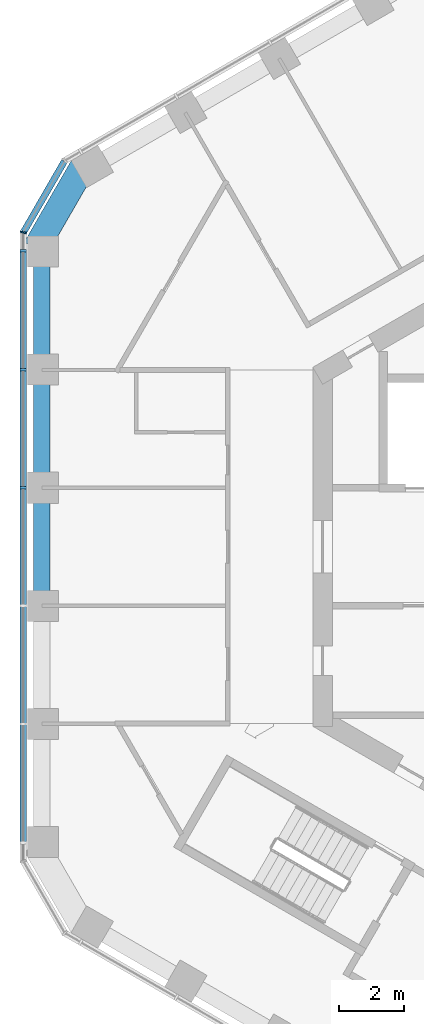
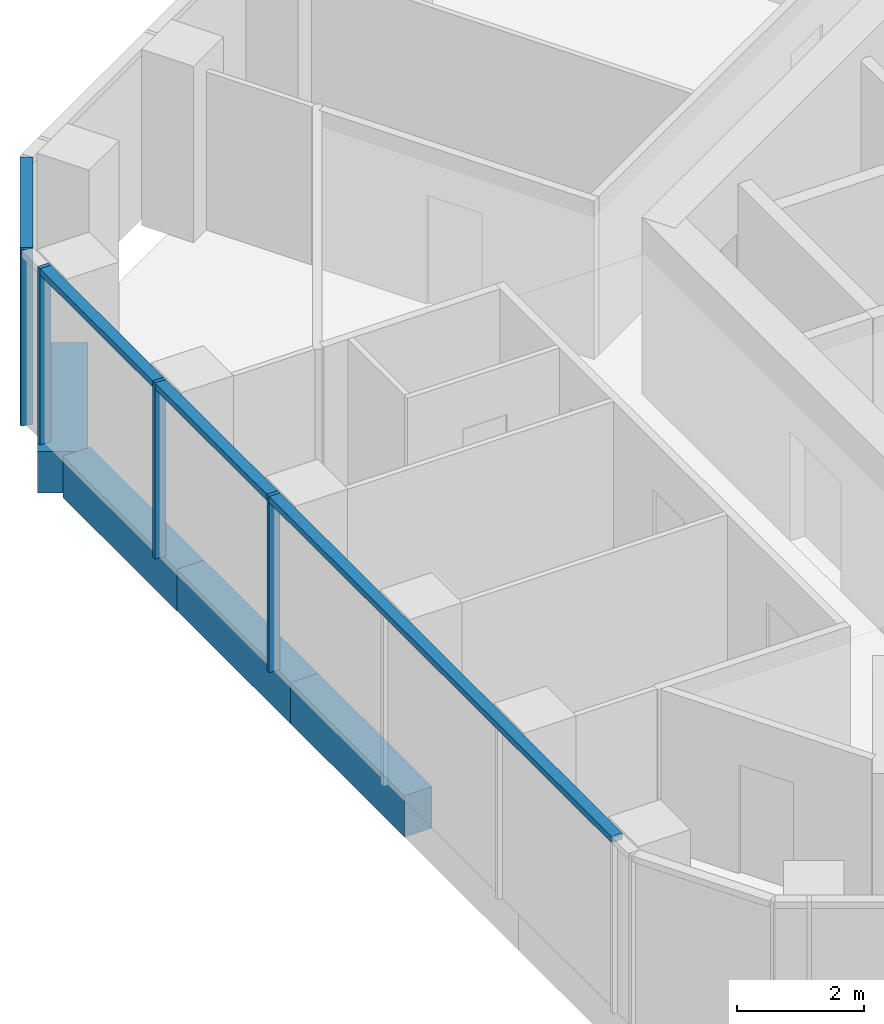
# One storey, part 4 of 18: 6 members, 4 beams, 2 elements without a shape of their own.
"""IFC4 building model written with IfcOpenShell, lengths in metres."""

from ifc_helpers import new_model, si_unit, direction, frame, origin, origin_2d, place, context, subcontext, project, spatial, rectangle, extrude, material, layer, layer_set, material_profile, profile_set, type_object, element, aggregate, save


model = new_model("IFC4")

# Units and contexts
model_context = context("Model", 3, precision=1e-05, world=origin(), true_north=direction((0.0, 1.0)))
body_context = subcontext(model_context, "Body", "Model", "MODEL_VIEW")
ifc_project = project(units=[si_unit("LENGTHUNIT", "METRE"), si_unit("AREAUNIT", "SQUARE_METRE"), si_unit("VOLUMEUNIT", "CUBIC_METRE"), si_unit("PLANEANGLEUNIT", "RADIAN"), si_unit("MASSUNIT", "GRAM", prefix="KILO")], contexts=[model_context])

# Site, building, storey
site_placement = place(None, origin())
site = spatial("IfcSite", under=ifc_project, at=site_placement, CompositionType="ELEMENT")
building_placement = place(site_placement, origin())
building = spatial("IfcBuilding", under=site, at=building_placement, Name="Ayvan Gate Tower", CompositionType="ELEMENT")
storey_placement = place(building_placement, frame((0.0, 0.0, 176.5)))
storey = spatial("IfcBuildingStorey", under=building, at=storey_placement, Name="L47", CompositionType="ELEMENT", Elevation=176.5)

# Beams
ifc_material_1 = material(Name="Concrete C40/50", Category="concrete")
ifc_material_profile_1 = material_profile(ifc_material_1, rectangle(XDim=0.800048828125, YDim=0.800048828125, at=origin_2d()), Name="RC 800x800")
ifc_profile_set_1 = profile_set([ifc_material_profile_1], Name="Concrete C40/50")
beam_type_1 = type_object("IfcBeamType", Name="Corner spandrel beam RC 800x800 C40/50", PredefinedType="BEAM", material=ifc_profile_set_1)
beam_placement = place(storey_placement, frame((-16.474609375, 11.708251953125, -0.75), z_axis=(-0.50002537861, -0.866010750942, 0.0), x_axis=(0.866010750942, -0.50002537861, 0.0)))
element("IfcBeam", 1, at=beam_placement, inside=storey, type_object=beam_type_1, Name="SB-L47-18", PredefinedType="BEAM", context=body_context, shape_type="SweptSolid", body=[
    extrude(rectangle(XDim=0.800048828125, YDim=0.800048828125, at=origin_2d()), origin(), (0.0, 0.0, 1.0), 2.999755859375),
])
ifc_material_profile_2 = material_profile(ifc_material_1, rectangle(XDim=0.5, YDim=0.800048828125, at=origin_2d()), Name="RC 500x800")
ifc_profile_set_2 = profile_set([ifc_material_profile_2], Name="Concrete C40/50")
beam_type_2 = type_object("IfcBeamType", Name="Spandrel beam RC 500x800 C40/50", PredefinedType="BEAM", material=ifc_profile_set_2)
for number, where, z_axis, x_axis, name in (
    (2, (-17.7841796875, 9.000244140625, -0.75), (0.0, -1.0, 0.0), (1.0, 0.0, 0.0), "SB-L47-19"),
    (3, (-17.7841796875, 5.400146484375, -0.75), (0.0, -1.0, 0.0), (1.0, 0.0, 0.0), "SB-L47-20"),
    (4, (-17.7841796875, 1.800048828125, -0.75), (0.0, -1.0, 0.0), (1.0, 0.0, 0.0), "SB-L47-21"),
):
    element("IfcBeam", number, at=place(storey_placement, frame(where, z_axis=z_axis, x_axis=x_axis)), inside=storey, type_object=beam_type_2, Name=name, PredefinedType="BEAM", context=body_context, shape_type="SweptSolid", body=[
        extrude(rectangle(XDim=0.5, YDim=0.800048828125, at=origin_2d()), origin(), (0.0, 0.0, 1.0), 3.60009765625),
    ])

# Curtain wall, members
ifc_material_2 = material(Name="Bronze anodised aluminium", Category="aluminium")
ifc_layer_1 = layer(ifc_material_2, 0.199951171875)
ifc_layer_set_1 = layer_set([ifc_layer_1], Name="Bronze anodised aluminium")
curtain_wall_type_1 = type_object("IfcCurtainWallType", Name="Stick curtain wall CW-2", PredefinedType="NOTDEFINED", material=ifc_layer_set_1)
curtain_wall_1_placement = place(storey_placement, origin())
curtain_wall_1 = element("IfcCurtainWall", 5, at=curtain_wall_1_placement, inside=storey, type_object=curtain_wall_type_1, Name="Stick curtain wall CW-2 L47", PredefinedType="NOTDEFINED")
ifc_material_profile_3 = material_profile(ifc_material_2, rectangle(XDim=0.199951171875, YDim=0.070068359375, at=origin_2d()), Name="Stick curtain wall CW-2 mullion 200 x 70")
ifc_profile_set_3 = profile_set([ifc_material_profile_3], Name="Bronze anodised aluminium")
member_type_1 = type_object("IfcMemberType", Name="Stick curtain wall CW-2 mullion 200 x 70", PredefinedType="MULLION", material=ifc_profile_set_3)
member_1_placement = place(storey_placement, frame((-18.34619140625, 9.048583984375, 0.0), z_axis=(0.0, 0.0, 1.0), x_axis=(-1.0, 0.0, 0.0)))
member_1 = element("IfcMember", 6, at=member_1_placement, type_object=member_type_1, Name="CW-2 mullion 1", PredefinedType="MULLION", context=body_context, shape_type="SweptSolid", body=[
    extrude(rectangle(XDim=0.199951171875, YDim=0.070068359375, at=origin_2d()), origin(), (0.0, 0.0, 1.0), 3.39990234375),
])
member_2_placement = place(storey_placement, frame((-18.34619140625, 5.41455078125, 0.0), z_axis=(0.0, 0.0, 1.0), x_axis=(-1.0, 0.0, 0.0)))
member_2 = element("IfcMember", 7, at=member_2_placement, type_object=member_type_1, Name="CW-2 mullion 2", PredefinedType="MULLION", context=body_context, shape_type="SweptSolid", body=[
    extrude(rectangle(XDim=0.199951171875, YDim=0.070068359375, at=origin_2d()), origin(), (0.0, 0.0, 1.0), 3.39990234375),
])
member_3_placement = place(storey_placement, frame((-18.34619140625, 1.804443359375, 0.0), z_axis=(0.0, 0.0, 1.0), x_axis=(-1.0, 0.0, 0.0)))
member_3 = element("IfcMember", 8, at=member_3_placement, type_object=member_type_1, Name="CW-2 mullion 3", PredefinedType="MULLION", context=body_context, shape_type="SweptSolid", body=[
    extrude(rectangle(XDim=0.199951171875, YDim=0.070068359375, at=origin_2d()), origin(), (0.0, 0.0, 1.0), 3.39990234375),
])
ifc_material_profile_4 = material_profile(ifc_material_2, rectangle(XDim=0.199951171875, YDim=0.1201171875, at=origin_2d()), Name="Stick curtain wall CW-2 transom 200 x 120")
ifc_profile_set_4 = profile_set([ifc_material_profile_4], Name="Bronze anodised aluminium")
member_type_2 = type_object("IfcMemberType", Name="Stick curtain wall CW-2 transom 200 x 120", PredefinedType="USERDEFINED", material=ifc_profile_set_4)
member_4_placement = place(storey_placement, frame((-18.34619140625, 9.048583984375, 3.340087890625), z_axis=(0.0, -1.0, 0.0), x_axis=(1.0, 0.0, 0.0)))
member_4 = element("IfcMember", 9, at=member_4_placement, type_object=member_type_2, Name="CW-2 transom 1", ObjectType="TRANSOM", PredefinedType="USERDEFINED", context=body_context, shape_type="SweptSolid", body=[
    extrude(rectangle(XDim=0.199951171875, YDim=0.1201171875, at=origin_2d()), origin(), (0.0, 0.0, 1.0), 18.09716796875),
])
aggregate(curtain_wall_1, [member_1, member_2, member_3, member_4])

ifc_layer_2 = layer(ifc_material_2, 0.199951171875)
ifc_layer_set_2 = layer_set([ifc_layer_2], Name="Bronze anodised aluminium")
curtain_wall_type_2 = type_object("IfcCurtainWallType", Name="Stick curtain wall CW-6", PredefinedType="NOTDEFINED", material=ifc_layer_set_2)
curtain_wall_2_placement = place(storey_placement, origin())
curtain_wall_2 = element("IfcCurtainWall", 10, at=curtain_wall_2_placement, inside=storey, type_object=curtain_wall_type_2, Name="Stick curtain wall CW-6 L47", PredefinedType="NOTDEFINED")
ifc_material_profile_5 = material_profile(ifc_material_2, rectangle(XDim=0.199951171875, YDim=0.050048828125, at=origin_2d()), Name="Stick curtain wall CW-6 mullion 200 x 50")
ifc_profile_set_5 = profile_set([ifc_material_profile_5], Name="Bronze anodised aluminium")
member_type_3 = type_object("IfcMemberType", Name="Stick curtain wall CW-6 mullion 200 x 50", PredefinedType="MULLION", material=ifc_profile_set_5)
member_5_placement = place(storey_placement, frame((-18.34619140625, 9.6083984375, 0.0), z_axis=(0.0, 0.0, 1.0), x_axis=(-0.965925826289, 0.258819045103, 0.0)))
member_5 = element("IfcMember", 11, at=member_5_placement, type_object=member_type_3, Name="CW-6 mullion 3", PredefinedType="MULLION", context=body_context, shape_type="SweptSolid", body=[
    extrude(rectangle(XDim=0.199951171875, YDim=0.050048828125, at=origin_2d()), origin(), (0.0, 0.0, 1.0), 3.39990234375),
])
ifc_material_profile_6 = material_profile(ifc_material_2, rectangle(XDim=0.199951171875, YDim=0.1201171875, at=origin_2d()), Name="Stick curtain wall CW-6 transom 200 x 120")
ifc_profile_set_6 = profile_set([ifc_material_profile_6], Name="Bronze anodised aluminium")
member_type_4 = type_object("IfcMemberType", Name="Stick curtain wall CW-6 transom 200 x 120", PredefinedType="USERDEFINED", material=ifc_profile_set_6)
member_6_placement = place(storey_placement, frame((-17.09130859375, 11.78173828125, 3.340087890625), z_axis=(-0.499986149909, -0.86603339999, 0.0), x_axis=(0.86603339999, -0.499986149909, 0.0)))
member_6 = element("IfcMember", 12, at=member_6_placement, type_object=member_type_4, Name="CW-6 transom 2", ObjectType="TRANSOM", PredefinedType="USERDEFINED", context=body_context, shape_type="SweptSolid", body=[
    extrude(rectangle(XDim=0.199951171875, YDim=0.1201171875, at=origin_2d()), origin(), (0.0, 0.0, 1.0), 2.484375),
])
aggregate(curtain_wall_2, [member_5, member_6])

save(model, "model.ifc")
